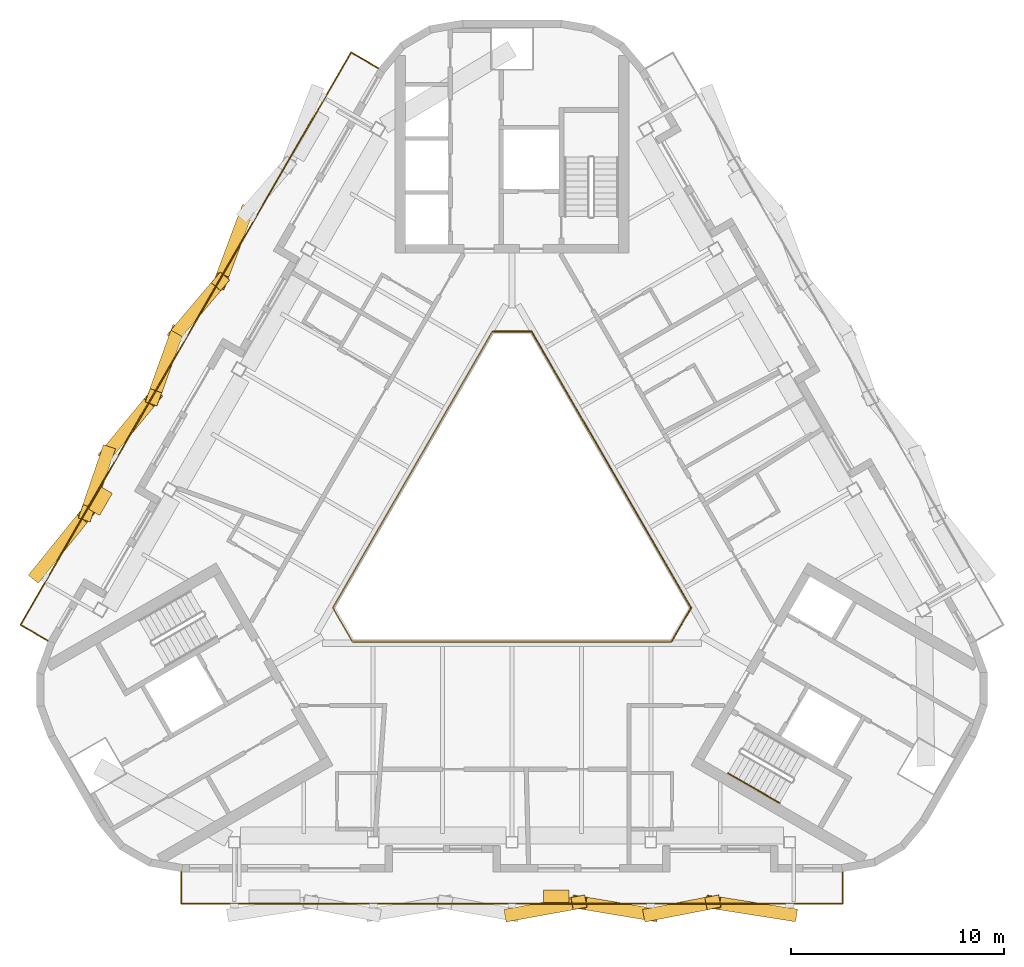
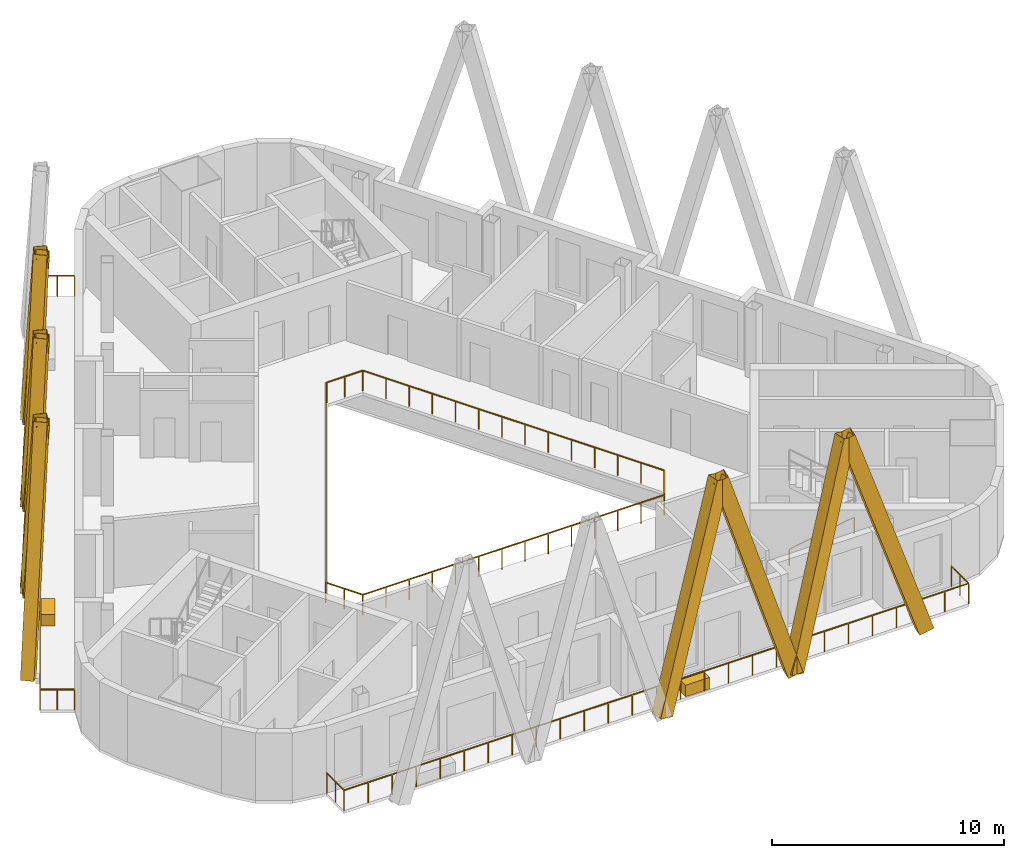
# One storey, part 9 of 11: 10 shading devices, 5 railings, 2 coverings.
"""IFC4 building model written with IfcOpenShell, lengths in metres."""

from ifc_helpers import new_model, si_unit, direction, frame, origin, origin_2d, place, context, subcontext, project, spatial, rectangle, hollow_rectangle, circle, extrude, material, material_profile, profile_set, type_object, element, save


model = new_model("IFC4")

# Units and contexts
model_context = context("Model", 3, precision=1e-05, world=origin(), true_north=direction((0.0, 1.0)))
body_context = subcontext(model_context, "Body", "Model", "MODEL_VIEW")
ifc_project = project(units=[si_unit("LENGTHUNIT", "METRE"), si_unit("AREAUNIT", "SQUARE_METRE"), si_unit("VOLUMEUNIT", "CUBIC_METRE"), si_unit("PLANEANGLEUNIT", "RADIAN"), si_unit("MASSUNIT", "GRAM", prefix="KILO")], contexts=[model_context])

# Site, building, storey
site_placement = place(None, origin())
site = spatial("IfcSite", under=ifc_project, at=site_placement, CompositionType="ELEMENT")
building_placement = place(site_placement, origin())
building = spatial("IfcBuilding", under=site, at=building_placement, Name="Apuvela Tower Hotel", CompositionType="ELEMENT")
storey_placement = place(building_placement, frame((0.0, 0.0, 313.300048828125)))
storey = spatial("IfcBuildingStorey", under=building, at=storey_placement, Name="L78", CompositionType="ELEMENT", Elevation=313.300048828125)

# Railing
ifc_material_1 = material(Name="Stainless steel 316 handrail", Category="steel")
railing_type_1 = type_object("IfcRailingType", Name="COR-HANDRAIL-900", PredefinedType="HANDRAIL", material=ifc_material_1)
railing_1_placement = place(storey_placement, frame((10.1689453125, -11.5869140625, 0.168212890625)))
element("IfcRailing", 1, at=railing_1_placement, inside=storey, type_object=railing_type_1, Name="L78 ST3 stair handrail 1", PredefinedType="HANDRAIL", context=body_context, shape_type="SweptSolid", body=[
    extrude(circle(Radius=0.02392578125, at=origin_2d()), frame((0.0, 0.0, 0.8759765625), z_axis=(0.74241905619, -0.428617687091, 0.514879426), x_axis=(0.49998411664, 0.866034573852, 0.0)), (0.0, 0.0, 1.0), 3.26611328125),
    extrude(rectangle(XDim=0.0419921875, YDim=0.0419921875, at=origin_2d()), origin(), (0.0, 0.0, 1.0), 0.851806640625),
    extrude(rectangle(XDim=0.0419921875, YDim=0.0419921875, at=origin_2d()), frame((0.808349609375, -0.466552734375, 0.560546875)), (0.0, 0.0, 1.0), 0.851806640625),
    extrude(rectangle(XDim=0.0419921875, YDim=0.0419921875, at=origin_2d()), frame((1.616455078125, -0.933349609375, 1.12109375)), (0.0, 0.0, 1.0), 0.851806640625),
    extrude(rectangle(XDim=0.0419921875, YDim=0.0419921875, at=origin_2d()), frame((2.4248046875, -1.39990234375, 1.681640625)), (0.0, 0.0, 1.0), 0.851806640625),
])

# Shading devices
ifc_material_2 = material(Name="Aluminium 6063-T6, black anodised", Category="aluminium")
ifc_material_profile = material_profile(ifc_material_2, hollow_rectangle(XDim=0.60009765625, YDim=0.699951171875, WallThickness=0.011962890625, at=origin_2d()), Name="AL BOX 700x600x12")
ifc_profile_set = profile_set([ifc_material_profile], Name="Aluminium 6063-T6, black anodised")
shading_device_type = type_object("IfcShadingDeviceType", Name="ENV-FIN-700x600", PredefinedType="USERDEFINED", material=ifc_profile_set)
shading_device_1_placement = place(storey_placement, frame((0.0, -18.2275390625, -0.10009765625), z_axis=(0.27276226304, 0.049091712795, 0.960828159244), x_axis=(-0.177133794906, 0.984186780394, 0.0)))
element("IfcShadingDevice", 2, at=shading_device_1_placement, inside=storey, type_object=shading_device_type, Name="Lattice fin S645", ObjectType="FIN", PredefinedType="USERDEFINED", context=body_context, shape_type="SweptSolid", body=[
    extrude(hollow_rectangle(XDim=0.60009765625, YDim=0.699951171875, WallThickness=0.011962890625, at=origin_2d()), origin(), (0.0, 0.0, 1.0), 11.552734375),
])
shading_device_2_placement = place(storey_placement, frame((6.53076171875, -18.2275390625, -0.10009765625), z_axis=(-0.290920643346, 0.048819522827, 0.955500828606), x_axis=(-0.165496405654, -0.98621039323, 0.0)))
element("IfcShadingDevice", 3, at=shading_device_2_placement, inside=storey, type_object=shading_device_type, Name="Lattice fin S646", ObjectType="FIN", PredefinedType="USERDEFINED", context=body_context, shape_type="SweptSolid", body=[
    extrude(hollow_rectangle(XDim=0.60009765625, YDim=0.699951171875, WallThickness=0.011962890625, at=origin_2d()), origin(), (0.0, 0.0, 1.0), 11.616943359375),
])
shading_device_3_placement = place(storey_placement, frame((6.53076171875, -18.2275390625, -0.10009765625), z_axis=(0.254327526202, 0.049348717288, 0.965858278174), x_axis=(-0.190483365651, 0.981690423408, 0.0)))
element("IfcShadingDevice", 4, at=shading_device_3_placement, inside=storey, type_object=shading_device_type, Name="Lattice fin S647", ObjectType="FIN", PredefinedType="USERDEFINED", context=body_context, shape_type="SweptSolid", body=[
    extrude(hollow_rectangle(XDim=0.60009765625, YDim=0.699951171875, WallThickness=0.011962890625, at=origin_2d()), origin(), (0.0, 0.0, 1.0), 11.492431640625),
])
shading_device_4_placement = place(storey_placement, frame((13.061279296875, -18.2275390625, -0.10009765625), z_axis=(-0.308732219208, 0.048533866497, 0.949909932902), x_axis=(-0.155296550327, -0.987867896764, 0.0)))
element("IfcShadingDevice", 5, at=shading_device_4_placement, inside=storey, type_object=shading_device_type, Name="Lattice fin S648", ObjectType="FIN", PredefinedType="USERDEFINED", context=body_context, shape_type="SweptSolid", body=[
    extrude(hollow_rectangle(XDim=0.60009765625, YDim=0.699951171875, WallThickness=0.011962890625, at=origin_2d()), origin(), (0.0, 0.0, 1.0), 11.685302734375),
])
shading_device_5_placement = place(storey_placement, frame((-12.52001953125, 14.76953125, -0.10009765625), z_axis=(-0.103187068225, -0.276356404717, 0.955499642346), x_axis=(0.936825951602, -0.34979584961, 0.0)))
element("IfcShadingDevice", 6, at=shading_device_5_placement, inside=storey, type_object=shading_device_type, Name="Lattice fin NW703", ObjectType="FIN", PredefinedType="USERDEFINED", context=body_context, shape_type="SweptSolid", body=[
    extrude(hollow_rectangle(XDim=0.60009765625, YDim=0.699951171875, WallThickness=0.011962890625, at=origin_2d()), origin(), (0.0, 0.0, 1.0), 11.616943359375),
])
shading_device_6_placement = place(storey_placement, frame((-15.785400390625, 9.11376953125, -0.10009765625), z_axis=(0.178890367144, 0.211667562589, 0.96083041141), x_axis=(-0.763765060006, 0.645494332364, 0.0)))
element("IfcShadingDevice", 7, at=shading_device_6_placement, inside=storey, type_object=shading_device_type, Name="Lattice fin NW704", ObjectType="FIN", PredefinedType="USERDEFINED", context=body_context, shape_type="SweptSolid", body=[
    extrude(hollow_rectangle(XDim=0.60009765625, YDim=0.699951171875, WallThickness=0.011962890625, at=origin_2d()), origin(), (0.0, 0.0, 1.0), 11.552490234375),
])
shading_device_7_placement = place(storey_placement, frame((-15.785400390625, 9.11376953125, -0.10009765625), z_axis=(-0.093872413584, -0.260759052501, 0.960829166141), x_axis=(0.940888383931, -0.338716768087, 0.0)))
element("IfcShadingDevice", 8, at=shading_device_7_placement, inside=storey, type_object=shading_device_type, Name="Lattice fin NW705", ObjectType="FIN", PredefinedType="USERDEFINED", context=body_context, shape_type="SweptSolid", body=[
    extrude(hollow_rectangle(XDim=0.60009765625, YDim=0.699951171875, WallThickness=0.011962890625, at=origin_2d()), origin(), (0.0, 0.0, 1.0), 11.552734375),
])
shading_device_8_placement = place(storey_placement, frame((-19.05078125, 3.4580078125, -0.10009765625), z_axis=(0.187733553144, 0.227537353621, 0.955501368775), x_axis=(-0.771347922945, 0.636413687602, 0.0)))
element("IfcShadingDevice", 9, at=shading_device_8_placement, inside=storey, type_object=shading_device_type, Name="Lattice fin NW706", ObjectType="FIN", PredefinedType="USERDEFINED", context=body_context, shape_type="SweptSolid", body=[
    extrude(hollow_rectangle(XDim=0.60009765625, YDim=0.699951171875, WallThickness=0.011962890625, at=origin_2d()), origin(), (0.0, 0.0, 1.0), 11.616943359375),
])
shading_device_9_placement = place(storey_placement, frame((-19.05078125, 3.4580078125, -0.10009765625), z_axis=(-0.08444271407, -0.244936979429, 0.965854701365), x_axis=(0.945394763347, -0.32592750948, 0.0)))
element("IfcShadingDevice", 10, at=shading_device_9_placement, inside=storey, type_object=shading_device_type, Name="Lattice fin NW707", ObjectType="FIN", PredefinedType="USERDEFINED", context=body_context, shape_type="SweptSolid", body=[
    extrude(hollow_rectangle(XDim=0.60009765625, YDim=0.699951171875, WallThickness=0.011962890625, at=origin_2d()), origin(), (0.0, 0.0, 1.0), 11.492431640625),
])
shading_device_10_placement = place(storey_placement, frame((-22.316162109375, -2.19775390625, -0.10009765625), z_axis=(0.196391864595, 0.243108057067, 0.949909842095), x_axis=(-0.777885876447, 0.628405572242, 0.0)))
element("IfcShadingDevice", 11, at=shading_device_10_placement, inside=storey, type_object=shading_device_type, Name="Lattice fin NW708", ObjectType="FIN", PredefinedType="USERDEFINED", context=body_context, shape_type="SweptSolid", body=[
    extrude(hollow_rectangle(XDim=0.60009765625, YDim=0.699951171875, WallThickness=0.011962890625, at=origin_2d()), origin(), (0.0, 0.0, 1.0), 11.685302734375),
])

# Railings
ifc_material_3 = material(Name="Stainless steel 316 rail with laminated glass infill", Category="steel")
railing_type_2 = type_object("IfcRailingType", Name="ENV-GUARD-1100", PredefinedType="GUARDRAIL", material=ifc_material_3)
railing_2_placement = place(storey_placement, frame((-15.554443359375, -16.2275390625, 0.0)))
element("IfcRailing", 12, at=railing_2_placement, inside=storey, type_object=railing_type_2, Name="Balcony guard S L78", PredefinedType="GUARDRAIL", context=body_context, shape_type="SweptSolid", body=[
    extrude(rectangle(XDim=0.050048828125, YDim=0.050048828125, at=origin_2d()), frame((0.0, 0.0, 1.0751953125), z_axis=(0.0, -1.0, 0.0), x_axis=(1.0, 0.0, 0.0)), (0.0, 0.0, 1.0), 1.5),
    extrude(rectangle(XDim=0.050048828125, YDim=0.050048828125, at=origin_2d()), frame((0.0, -1.5, 1.0751953125), z_axis=(1.0, 0.0, 0.0), x_axis=(0.0, 1.0, 0.0)), (0.0, 0.0, 1.0), 31.10888671875),
    extrude(rectangle(XDim=0.050048828125, YDim=0.050048828125, at=origin_2d()), frame((31.10888671875, -1.5, 1.0751953125), z_axis=(0.0, 1.0, 0.0), x_axis=(-1.0, 0.0, 0.0)), (0.0, 0.0, 1.0), 1.5),
    extrude(rectangle(XDim=0.0400390625, YDim=0.0400390625, at=origin_2d()), origin(), (0.0, 0.0, 1.0), 1.050048828125),
    extrude(rectangle(XDim=0.0400390625, YDim=0.0400390625, at=origin_2d()), frame((0.0, -0.75, 0.0)), (0.0, 0.0, 1.0), 1.050048828125),
    extrude(rectangle(XDim=0.0400390625, YDim=0.0400390625, at=origin_2d()), frame((0.0, -1.5, 0.0)), (0.0, 0.0, 1.0), 1.050048828125),
    extrude(rectangle(XDim=0.0400390625, YDim=0.0400390625, at=origin_2d()), frame((1.196533203125, -1.5, 0.0)), (0.0, 0.0, 1.0), 1.050048828125),
    extrude(rectangle(XDim=0.0400390625, YDim=0.0400390625, at=origin_2d()), frame((2.39306640625, -1.5, 0.0)), (0.0, 0.0, 1.0), 1.050048828125),
    extrude(rectangle(XDim=0.0400390625, YDim=0.0400390625, at=origin_2d()), frame((3.589599609375, -1.5, 0.0)), (0.0, 0.0, 1.0), 1.050048828125),
    extrude(rectangle(XDim=0.0400390625, YDim=0.0400390625, at=origin_2d()), frame((4.785888671875, -1.5, 0.0)), (0.0, 0.0, 1.0), 1.050048828125),
    extrude(rectangle(XDim=0.0400390625, YDim=0.0400390625, at=origin_2d()), frame((5.982421875, -1.5, 0.0)), (0.0, 0.0, 1.0), 1.050048828125),
    extrude(rectangle(XDim=0.0400390625, YDim=0.0400390625, at=origin_2d()), frame((7.178955078125, -1.5, 0.0)), (0.0, 0.0, 1.0), 1.050048828125),
    extrude(rectangle(XDim=0.0400390625, YDim=0.0400390625, at=origin_2d()), frame((8.37548828125, -1.5, 0.0)), (0.0, 0.0, 1.0), 1.050048828125),
    extrude(rectangle(XDim=0.0400390625, YDim=0.0400390625, at=origin_2d()), frame((9.572021484375, -1.5, 0.0)), (0.0, 0.0, 1.0), 1.050048828125),
    extrude(rectangle(XDim=0.0400390625, YDim=0.0400390625, at=origin_2d()), frame((10.7685546875, -1.5, 0.0)), (0.0, 0.0, 1.0), 1.050048828125),
    extrude(rectangle(XDim=0.0400390625, YDim=0.0400390625, at=origin_2d()), frame((11.96484375, -1.5, 0.0)), (0.0, 0.0, 1.0), 1.050048828125),
    extrude(rectangle(XDim=0.0400390625, YDim=0.0400390625, at=origin_2d()), frame((13.161376953125, -1.5, 0.0)), (0.0, 0.0, 1.0), 1.050048828125),
    extrude(rectangle(XDim=0.0400390625, YDim=0.0400390625, at=origin_2d()), frame((14.35791015625, -1.5, 0.0)), (0.0, 0.0, 1.0), 1.050048828125),
    extrude(rectangle(XDim=0.0400390625, YDim=0.0400390625, at=origin_2d()), frame((15.554443359375, -1.5, 0.0)), (0.0, 0.0, 1.0), 1.050048828125),
    extrude(rectangle(XDim=0.0400390625, YDim=0.0400390625, at=origin_2d()), frame((16.7509765625, -1.5, 0.0)), (0.0, 0.0, 1.0), 1.050048828125),
    extrude(rectangle(XDim=0.0400390625, YDim=0.0400390625, at=origin_2d()), frame((17.947509765625, -1.5, 0.0)), (0.0, 0.0, 1.0), 1.050048828125),
    extrude(rectangle(XDim=0.0400390625, YDim=0.0400390625, at=origin_2d()), frame((19.14404296875, -1.5, 0.0)), (0.0, 0.0, 1.0), 1.050048828125),
    extrude(rectangle(XDim=0.0400390625, YDim=0.0400390625, at=origin_2d()), frame((20.34033203125, -1.5, 0.0)), (0.0, 0.0, 1.0), 1.050048828125),
    extrude(rectangle(XDim=0.0400390625, YDim=0.0400390625, at=origin_2d()), frame((21.536865234375, -1.5, 0.0)), (0.0, 0.0, 1.0), 1.050048828125),
    extrude(rectangle(XDim=0.0400390625, YDim=0.0400390625, at=origin_2d()), frame((22.7333984375, -1.5, 0.0)), (0.0, 0.0, 1.0), 1.050048828125),
    extrude(rectangle(XDim=0.0400390625, YDim=0.0400390625, at=origin_2d()), frame((23.929931640625, -1.5, 0.0)), (0.0, 0.0, 1.0), 1.050048828125),
    extrude(rectangle(XDim=0.0400390625, YDim=0.0400390625, at=origin_2d()), frame((25.12646484375, -1.5, 0.0)), (0.0, 0.0, 1.0), 1.050048828125),
    extrude(rectangle(XDim=0.0400390625, YDim=0.0400390625, at=origin_2d()), frame((26.322998046875, -1.5, 0.0)), (0.0, 0.0, 1.0), 1.050048828125),
    extrude(rectangle(XDim=0.0400390625, YDim=0.0400390625, at=origin_2d()), frame((27.519287109375, -1.5, 0.0)), (0.0, 0.0, 1.0), 1.050048828125),
    extrude(rectangle(XDim=0.0400390625, YDim=0.0400390625, at=origin_2d()), frame((28.7158203125, -1.5, 0.0)), (0.0, 0.0, 1.0), 1.050048828125),
    extrude(rectangle(XDim=0.0400390625, YDim=0.0400390625, at=origin_2d()), frame((29.912353515625, -1.5, 0.0)), (0.0, 0.0, 1.0), 1.050048828125),
    extrude(rectangle(XDim=0.0400390625, YDim=0.0400390625, at=origin_2d()), frame((31.10888671875, -1.5, 0.0)), (0.0, 0.0, 1.0), 1.050048828125),
    extrude(rectangle(XDim=0.0400390625, YDim=0.0400390625, at=origin_2d()), frame((31.10888671875, -0.75, 0.0)), (0.0, 0.0, 1.0), 1.050048828125),
    extrude(rectangle(XDim=0.0400390625, YDim=0.0400390625, at=origin_2d()), frame((31.10888671875, 0.0, 0.0)), (0.0, 0.0, 1.0), 1.050048828125),
])
railing_3_placement = place(storey_placement, frame((-6.276123046875, 21.584228515625, 0.0)))
element("IfcRailing", 13, at=railing_3_placement, inside=storey, type_object=railing_type_2, Name="Balcony guard NW L78", PredefinedType="GUARDRAIL", context=body_context, shape_type="SweptSolid", body=[
    extrude(rectangle(XDim=0.050048828125, YDim=0.050048828125, at=origin_2d()), frame((0.0, 0.0, 1.0751953125), z_axis=(-0.866031096941, 0.499990139034, 0.0), x_axis=(-0.499990139034, -0.866031096941, 0.0)), (0.0, 0.0, 1.0), 1.5),
    extrude(rectangle(XDim=0.050048828125, YDim=0.050048828125, at=origin_2d()), frame((-1.299072265625, 0.75, 1.0751953125), z_axis=(-0.500002341412, -0.866024051966, 0.0), x_axis=(0.866024051966, -0.500002341412, 0.0)), (0.0, 0.0, 1.0), 31.108642578125),
    extrude(rectangle(XDim=0.050048828125, YDim=0.050048828125, at=origin_2d()), frame((-16.853515625, -26.19091796875, 1.0751953125), z_axis=(0.866031096941, -0.499990139034, 0.0), x_axis=(0.499990139034, 0.866031096941, 0.0)), (0.0, 0.0, 1.0), 1.5),
    extrude(rectangle(XDim=0.0400390625, YDim=0.0400390625, at=origin_2d()), origin(), (0.0, 0.0, 1.0), 1.050048828125),
    extrude(rectangle(XDim=0.0400390625, YDim=0.0400390625, at=origin_2d()), frame((-0.6494140625, 0.375, 0.0)), (0.0, 0.0, 1.0), 1.050048828125),
    extrude(rectangle(XDim=0.0400390625, YDim=0.0400390625, at=origin_2d()), frame((-1.299072265625, 0.75, 0.0)), (0.0, 0.0, 1.0), 1.050048828125),
    extrude(rectangle(XDim=0.0400390625, YDim=0.0400390625, at=origin_2d()), frame((-1.897216796875, -0.2861328125, 0.0)), (0.0, 0.0, 1.0), 1.050048828125),
    extrude(rectangle(XDim=0.0400390625, YDim=0.0400390625, at=origin_2d()), frame((-2.49560546875, -1.322265625, 0.0)), (0.0, 0.0, 1.0), 1.050048828125),
    extrude(rectangle(XDim=0.0400390625, YDim=0.0400390625, at=origin_2d()), frame((-3.09375, -2.358642578125, 0.0)), (0.0, 0.0, 1.0), 1.050048828125),
    extrude(rectangle(XDim=0.0400390625, YDim=0.0400390625, at=origin_2d()), frame((-3.692138671875, -3.394775390625, 0.0)), (0.0, 0.0, 1.0), 1.050048828125),
    extrude(rectangle(XDim=0.0400390625, YDim=0.0400390625, at=origin_2d()), frame((-4.290283203125, -4.430908203125, 0.0)), (0.0, 0.0, 1.0), 1.050048828125),
    extrude(rectangle(XDim=0.0400390625, YDim=0.0400390625, at=origin_2d()), frame((-4.888671875, -5.467041015625, 0.0)), (0.0, 0.0, 1.0), 1.050048828125),
    extrude(rectangle(XDim=0.0400390625, YDim=0.0400390625, at=origin_2d()), frame((-5.48681640625, -6.50341796875, 0.0)), (0.0, 0.0, 1.0), 1.050048828125),
    extrude(rectangle(XDim=0.0400390625, YDim=0.0400390625, at=origin_2d()), frame((-6.0849609375, -7.53955078125, 0.0)), (0.0, 0.0, 1.0), 1.050048828125),
    extrude(rectangle(XDim=0.0400390625, YDim=0.0400390625, at=origin_2d()), frame((-6.683349609375, -8.57568359375, 0.0)), (0.0, 0.0, 1.0), 1.050048828125),
    extrude(rectangle(XDim=0.0400390625, YDim=0.0400390625, at=origin_2d()), frame((-7.281494140625, -9.61181640625, 0.0)), (0.0, 0.0, 1.0), 1.050048828125),
    extrude(rectangle(XDim=0.0400390625, YDim=0.0400390625, at=origin_2d()), frame((-7.8798828125, -10.648193359375, 0.0)), (0.0, 0.0, 1.0), 1.050048828125),
    extrude(rectangle(XDim=0.0400390625, YDim=0.0400390625, at=origin_2d()), frame((-8.47802734375, -11.684326171875, 0.0)), (0.0, 0.0, 1.0), 1.050048828125),
    extrude(rectangle(XDim=0.0400390625, YDim=0.0400390625, at=origin_2d()), frame((-9.076171875, -12.720458984375, 0.0)), (0.0, 0.0, 1.0), 1.050048828125),
    extrude(rectangle(XDim=0.0400390625, YDim=0.0400390625, at=origin_2d()), frame((-9.674560546875, -13.756591796875, 0.0)), (0.0, 0.0, 1.0), 1.050048828125),
    extrude(rectangle(XDim=0.0400390625, YDim=0.0400390625, at=origin_2d()), frame((-10.272705078125, -14.792724609375, 0.0)), (0.0, 0.0, 1.0), 1.050048828125),
    extrude(rectangle(XDim=0.0400390625, YDim=0.0400390625, at=origin_2d()), frame((-10.87109375, -15.8291015625, 0.0)), (0.0, 0.0, 1.0), 1.050048828125),
    extrude(rectangle(XDim=0.0400390625, YDim=0.0400390625, at=origin_2d()), frame((-11.46923828125, -16.865234375, 0.0)), (0.0, 0.0, 1.0), 1.050048828125),
    extrude(rectangle(XDim=0.0400390625, YDim=0.0400390625, at=origin_2d()), frame((-12.067626953125, -17.9013671875, 0.0)), (0.0, 0.0, 1.0), 1.050048828125),
    extrude(rectangle(XDim=0.0400390625, YDim=0.0400390625, at=origin_2d()), frame((-12.665771484375, -18.9375, 0.0)), (0.0, 0.0, 1.0), 1.050048828125),
    extrude(rectangle(XDim=0.0400390625, YDim=0.0400390625, at=origin_2d()), frame((-13.263916015625, -19.973876953125, 0.0)), (0.0, 0.0, 1.0), 1.050048828125),
    extrude(rectangle(XDim=0.0400390625, YDim=0.0400390625, at=origin_2d()), frame((-13.8623046875, -21.010009765625, 0.0)), (0.0, 0.0, 1.0), 1.050048828125),
    extrude(rectangle(XDim=0.0400390625, YDim=0.0400390625, at=origin_2d()), frame((-14.46044921875, -22.046142578125, 0.0)), (0.0, 0.0, 1.0), 1.050048828125),
    extrude(rectangle(XDim=0.0400390625, YDim=0.0400390625, at=origin_2d()), frame((-15.058837890625, -23.082275390625, 0.0)), (0.0, 0.0, 1.0), 1.050048828125),
    extrude(rectangle(XDim=0.0400390625, YDim=0.0400390625, at=origin_2d()), frame((-15.656982421875, -24.11865234375, 0.0)), (0.0, 0.0, 1.0), 1.050048828125),
    extrude(rectangle(XDim=0.0400390625, YDim=0.0400390625, at=origin_2d()), frame((-16.25537109375, -25.15478515625, 0.0)), (0.0, 0.0, 1.0), 1.050048828125),
    extrude(rectangle(XDim=0.0400390625, YDim=0.0400390625, at=origin_2d()), frame((-16.853515625, -26.19091796875, 0.0)), (0.0, 0.0, 1.0), 1.050048828125),
    extrude(rectangle(XDim=0.0400390625, YDim=0.0400390625, at=origin_2d()), frame((-16.2041015625, -26.56591796875, 0.0)), (0.0, 0.0, 1.0), 1.050048828125),
    extrude(rectangle(XDim=0.0400390625, YDim=0.0400390625, at=origin_2d()), frame((-15.554443359375, -26.94091796875, 0.0)), (0.0, 0.0, 1.0), 1.050048828125),
])
railing_4_placement = place(storey_placement, frame((-0.923828125, 9.199951171875, 0.0)))
element("IfcRailing", 14, at=railing_4_placement, inside=storey, type_object=railing_type_2, Name="Atrium void guard A L78", PredefinedType="GUARDRAIL", context=body_context, shape_type="SweptSolid", body=[
    extrude(rectangle(XDim=0.050048828125, YDim=0.050048828125, at=origin_2d()), frame((0.0, 0.0, 1.0751953125), z_axis=(-0.499990886379, -0.866030665472, 0.0), x_axis=(0.866030665472, -0.499990886379, 0.0)), (0.0, 0.0, 1.0), 15.010986328125),
    extrude(rectangle(XDim=0.050048828125, YDim=0.050048828125, at=origin_2d()), frame((-7.50537109375, -13.0, 1.0751953125), z_axis=(0.499962699187, -0.866046938348, 0.0), x_axis=(0.866046938348, 0.499962699187, 0.0)), (0.0, 0.0, 1.0), 1.847412109375),
    extrude(rectangle(XDim=0.050048828125, YDim=0.050048828125, at=origin_2d()), frame((-6.581787109375, -14.599853515625, 1.0751953125), z_axis=(1.0, 0.0, 0.0), x_axis=(0.0, 1.0, 0.0)), (0.0, 0.0, 1.0), 15.01123046875),
    extrude(rectangle(XDim=0.0400390625, YDim=0.0400390625, at=origin_2d()), origin(), (0.0, 0.0, 1.0), 1.050048828125),
    extrude(rectangle(XDim=0.0400390625, YDim=0.0400390625, at=origin_2d()), frame((-0.577392578125, -1.0, 0.0)), (0.0, 0.0, 1.0), 1.050048828125),
    extrude(rectangle(XDim=0.0400390625, YDim=0.0400390625, at=origin_2d()), frame((-1.15478515625, -2.0, 0.0)), (0.0, 0.0, 1.0), 1.050048828125),
    extrude(rectangle(XDim=0.0400390625, YDim=0.0400390625, at=origin_2d()), frame((-1.73193359375, -3.0, 0.0)), (0.0, 0.0, 1.0), 1.050048828125),
    extrude(rectangle(XDim=0.0400390625, YDim=0.0400390625, at=origin_2d()), frame((-2.309326171875, -4.0, 0.0)), (0.0, 0.0, 1.0), 1.050048828125),
    extrude(rectangle(XDim=0.0400390625, YDim=0.0400390625, at=origin_2d()), frame((-2.88671875, -5.0, 0.0)), (0.0, 0.0, 1.0), 1.050048828125),
    extrude(rectangle(XDim=0.0400390625, YDim=0.0400390625, at=origin_2d()), frame((-3.464111328125, -6.0, 0.0)), (0.0, 0.0, 1.0), 1.050048828125),
    extrude(rectangle(XDim=0.0400390625, YDim=0.0400390625, at=origin_2d()), frame((-4.041259765625, -7.0, 0.0)), (0.0, 0.0, 1.0), 1.050048828125),
    extrude(rectangle(XDim=0.0400390625, YDim=0.0400390625, at=origin_2d()), frame((-4.61865234375, -8.0, 0.0)), (0.0, 0.0, 1.0), 1.050048828125),
    extrude(rectangle(XDim=0.0400390625, YDim=0.0400390625, at=origin_2d()), frame((-5.196044921875, -9.0, 0.0)), (0.0, 0.0, 1.0), 1.050048828125),
    extrude(rectangle(XDim=0.0400390625, YDim=0.0400390625, at=origin_2d()), frame((-5.7734375, -10.0, 0.0)), (0.0, 0.0, 1.0), 1.050048828125),
    extrude(rectangle(XDim=0.0400390625, YDim=0.0400390625, at=origin_2d()), frame((-6.3505859375, -11.0, 0.0)), (0.0, 0.0, 1.0), 1.050048828125),
    extrude(rectangle(XDim=0.0400390625, YDim=0.0400390625, at=origin_2d()), frame((-6.927978515625, -12.0, 0.0)), (0.0, 0.0, 1.0), 1.050048828125),
    extrude(rectangle(XDim=0.0400390625, YDim=0.0400390625, at=origin_2d()), frame((-7.50537109375, -13.0, 0.0)), (0.0, 0.0, 1.0), 1.050048828125),
    extrude(rectangle(XDim=0.0400390625, YDim=0.0400390625, at=origin_2d()), frame((-7.04345703125, -13.7998046875, 0.0)), (0.0, 0.0, 1.0), 1.050048828125),
    extrude(rectangle(XDim=0.0400390625, YDim=0.0400390625, at=origin_2d()), frame((-6.581787109375, -14.599853515625, 0.0)), (0.0, 0.0, 1.0), 1.050048828125),
    extrude(rectangle(XDim=0.0400390625, YDim=0.0400390625, at=origin_2d()), frame((-5.427001953125, -14.599853515625, 0.0)), (0.0, 0.0, 1.0), 1.050048828125),
    extrude(rectangle(XDim=0.0400390625, YDim=0.0400390625, at=origin_2d()), frame((-4.2724609375, -14.599853515625, 0.0)), (0.0, 0.0, 1.0), 1.050048828125),
    extrude(rectangle(XDim=0.0400390625, YDim=0.0400390625, at=origin_2d()), frame((-3.11767578125, -14.599853515625, 0.0)), (0.0, 0.0, 1.0), 1.050048828125),
    extrude(rectangle(XDim=0.0400390625, YDim=0.0400390625, at=origin_2d()), frame((-1.962890625, -14.599853515625, 0.0)), (0.0, 0.0, 1.0), 1.050048828125),
    extrude(rectangle(XDim=0.0400390625, YDim=0.0400390625, at=origin_2d()), frame((-0.808349609375, -14.599853515625, 0.0)), (0.0, 0.0, 1.0), 1.050048828125),
    extrude(rectangle(XDim=0.0400390625, YDim=0.0400390625, at=origin_2d()), frame((0.346435546875, -14.599853515625, 0.0)), (0.0, 0.0, 1.0), 1.050048828125),
    extrude(rectangle(XDim=0.0400390625, YDim=0.0400390625, at=origin_2d()), frame((1.501220703125, -14.599853515625, 0.0)), (0.0, 0.0, 1.0), 1.050048828125),
    extrude(rectangle(XDim=0.0400390625, YDim=0.0400390625, at=origin_2d()), frame((2.656005859375, -14.599853515625, 0.0)), (0.0, 0.0, 1.0), 1.050048828125),
    extrude(rectangle(XDim=0.0400390625, YDim=0.0400390625, at=origin_2d()), frame((3.810546875, -14.599853515625, 0.0)), (0.0, 0.0, 1.0), 1.050048828125),
    extrude(rectangle(XDim=0.0400390625, YDim=0.0400390625, at=origin_2d()), frame((4.96533203125, -14.599853515625, 0.0)), (0.0, 0.0, 1.0), 1.050048828125),
    extrude(rectangle(XDim=0.0400390625, YDim=0.0400390625, at=origin_2d()), frame((6.1201171875, -14.599853515625, 0.0)), (0.0, 0.0, 1.0), 1.050048828125),
    extrude(rectangle(XDim=0.0400390625, YDim=0.0400390625, at=origin_2d()), frame((7.274658203125, -14.599853515625, 0.0)), (0.0, 0.0, 1.0), 1.050048828125),
    extrude(rectangle(XDim=0.0400390625, YDim=0.0400390625, at=origin_2d()), frame((8.429443359375, -14.599853515625, 0.0)), (0.0, 0.0, 1.0), 1.050048828125),
])
railing_5_placement = place(storey_placement, frame((7.53564453125, -5.347900390625, 0.0)))
element("IfcRailing", 15, at=railing_5_placement, inside=storey, type_object=railing_type_2, Name="Atrium void guard B L78", PredefinedType="GUARDRAIL", context=body_context, shape_type="SweptSolid", body=[
    extrude(rectangle(XDim=0.050048828125, YDim=0.050048828125, at=origin_2d()), frame((0.0, 0.0, 1.0751953125), z_axis=(0.499958946799, 0.866049104564, 0.0), x_axis=(-0.866049104564, 0.499958946799, 0.0)), (0.0, 0.0, 1.0), 1.787353515625),
    extrude(rectangle(XDim=0.050048828125, YDim=0.050048828125, at=origin_2d()), frame((0.8935546875, 1.5478515625, 1.0751953125), z_axis=(-0.499990886379, 0.866030665472, 0.0), x_axis=(-0.866030665472, -0.499990886379, 0.0)), (0.0, 0.0, 1.0), 15.010986328125),
    extrude(rectangle(XDim=0.050048828125, YDim=0.050048828125, at=origin_2d()), frame((-6.61181640625, 14.5478515625, 1.0751953125), z_axis=(-1.0, 0.0, 0.0), x_axis=(0.0, -1.0, 0.0)), (0.0, 0.0, 1.0), 1.78759765625),
    extrude(rectangle(XDim=0.0400390625, YDim=0.0400390625, at=origin_2d()), origin(), (0.0, 0.0, 1.0), 1.050048828125),
    extrude(rectangle(XDim=0.0400390625, YDim=0.0400390625, at=origin_2d()), frame((0.44677734375, 0.77392578125, 0.0)), (0.0, 0.0, 1.0), 1.050048828125),
    extrude(rectangle(XDim=0.0400390625, YDim=0.0400390625, at=origin_2d()), frame((0.8935546875, 1.5478515625, 0.0)), (0.0, 0.0, 1.0), 1.050048828125),
    extrude(rectangle(XDim=0.0400390625, YDim=0.0400390625, at=origin_2d()), frame((0.316162109375, 2.5478515625, 0.0)), (0.0, 0.0, 1.0), 1.050048828125),
    extrude(rectangle(XDim=0.0400390625, YDim=0.0400390625, at=origin_2d()), frame((-0.26123046875, 3.5478515625, 0.0)), (0.0, 0.0, 1.0), 1.050048828125),
    extrude(rectangle(XDim=0.0400390625, YDim=0.0400390625, at=origin_2d()), frame((-0.83837890625, 4.5478515625, 0.0)), (0.0, 0.0, 1.0), 1.050048828125),
    extrude(rectangle(XDim=0.0400390625, YDim=0.0400390625, at=origin_2d()), frame((-1.415771484375, 5.5478515625, 0.0)), (0.0, 0.0, 1.0), 1.050048828125),
    extrude(rectangle(XDim=0.0400390625, YDim=0.0400390625, at=origin_2d()), frame((-1.9931640625, 6.5478515625, 0.0)), (0.0, 0.0, 1.0), 1.050048828125),
    extrude(rectangle(XDim=0.0400390625, YDim=0.0400390625, at=origin_2d()), frame((-2.570556640625, 7.5478515625, 0.0)), (0.0, 0.0, 1.0), 1.050048828125),
    extrude(rectangle(XDim=0.0400390625, YDim=0.0400390625, at=origin_2d()), frame((-3.147705078125, 8.5478515625, 0.0)), (0.0, 0.0, 1.0), 1.050048828125),
    extrude(rectangle(XDim=0.0400390625, YDim=0.0400390625, at=origin_2d()), frame((-3.72509765625, 9.5478515625, 0.0)), (0.0, 0.0, 1.0), 1.050048828125),
    extrude(rectangle(XDim=0.0400390625, YDim=0.0400390625, at=origin_2d()), frame((-4.302490234375, 10.5478515625, 0.0)), (0.0, 0.0, 1.0), 1.050048828125),
    extrude(rectangle(XDim=0.0400390625, YDim=0.0400390625, at=origin_2d()), frame((-4.8798828125, 11.5478515625, 0.0)), (0.0, 0.0, 1.0), 1.050048828125),
    extrude(rectangle(XDim=0.0400390625, YDim=0.0400390625, at=origin_2d()), frame((-5.45703125, 12.5478515625, 0.0)), (0.0, 0.0, 1.0), 1.050048828125),
    extrude(rectangle(XDim=0.0400390625, YDim=0.0400390625, at=origin_2d()), frame((-6.034423828125, 13.5478515625, 0.0)), (0.0, 0.0, 1.0), 1.050048828125),
    extrude(rectangle(XDim=0.0400390625, YDim=0.0400390625, at=origin_2d()), frame((-6.61181640625, 14.5478515625, 0.0)), (0.0, 0.0, 1.0), 1.050048828125),
    extrude(rectangle(XDim=0.0400390625, YDim=0.0400390625, at=origin_2d()), frame((-7.505615234375, 14.5478515625, 0.0)), (0.0, 0.0, 1.0), 1.050048828125),
    extrude(rectangle(XDim=0.0400390625, YDim=0.0400390625, at=origin_2d()), frame((-8.3994140625, 14.5478515625, 0.0)), (0.0, 0.0, 1.0), 1.050048828125),
])

# Coverings
ifc_material_4 = material(Name="Planting substrate and soil, planted")
covering_type = type_object("IfcCoveringType", Name="ENV-PLANTER-1200x600", PredefinedType="USERDEFINED", material=ifc_material_4)
for number, where, z_axis, x_axis, name in (
    (16, (2.079833984375, -17.37744140625, 0.0), (0.0, 0.0, 1.0), (1.0, 0.0, 0.0), "Planter S2"),
    (17, (-19.36474609375, 1.21435546875, 0.0), (0.0, 0.0, 1.0), (-0.5, -0.866025403784, 0.0), "Planter NW6"),
):
    element("IfcCovering", number, at=place(storey_placement, frame(where, z_axis=z_axis, x_axis=x_axis)), inside=storey, type_object=covering_type, Name=name, ObjectType="PLANTER", PredefinedType="USERDEFINED", context=body_context, shape_type="SweptSolid", body=[
        extrude(rectangle(XDim=1.199951171875, YDim=0.60009765625, at=origin_2d()), origin(), (0.0, 0.0, 1.0), 0.60009765625),
    ])

save(model, "model.ifc")
